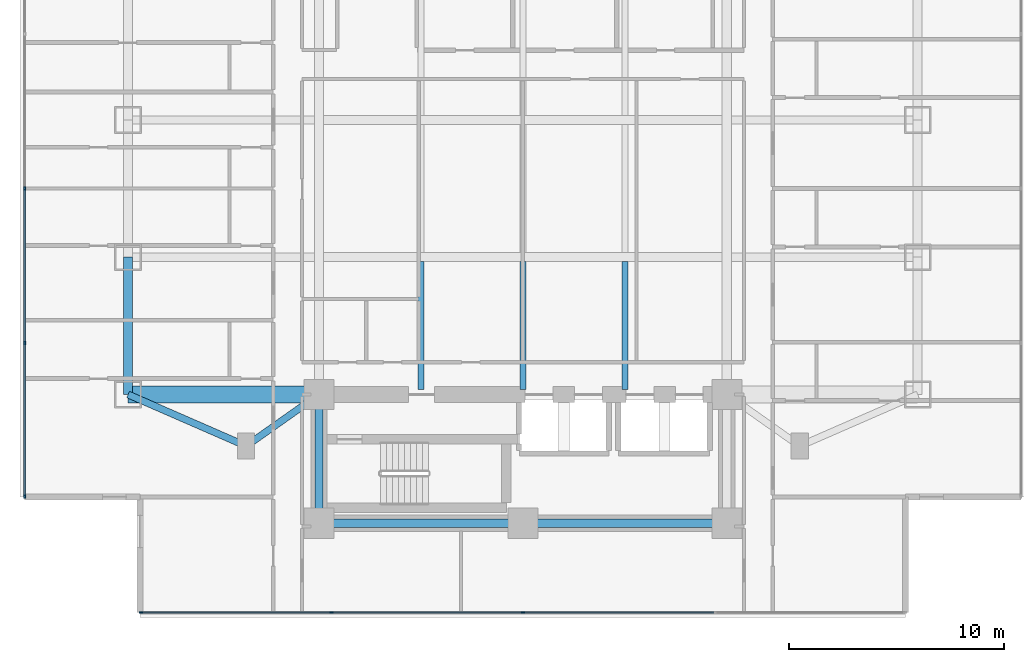
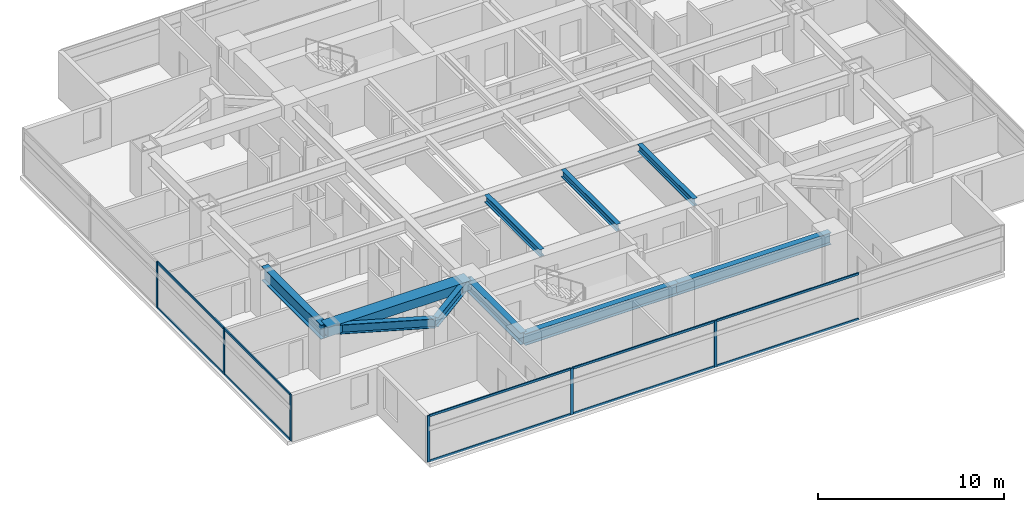
# One storey, part 2 of 26: 16 members, 10 beams, 2 elements without a shape of their own.
"""IFC4 building model written with IfcOpenShell, lengths in metres."""

from ifc_helpers import new_model, si_unit, direction, frame, origin, origin_2d, place, context, subcontext, project, spatial, rectangle, i_section, extrude, material, material_profile, profile_set, type_object, element, aggregate, save


model = new_model("IFC4")

# Units and contexts
model_context = context("Model", 3, precision=1e-05, world=origin(), true_north=direction((0.0, 1.0)))
body_context = subcontext(model_context, "Body", "Model", "MODEL_VIEW")
ifc_project = project(units=[si_unit("LENGTHUNIT", "METRE"), si_unit("AREAUNIT", "SQUARE_METRE"), si_unit("VOLUMEUNIT", "CUBIC_METRE"), si_unit("PLANEANGLEUNIT", "RADIAN"), si_unit("MASSUNIT", "GRAM", prefix="KILO")], contexts=[model_context])

# Site, building, storey
site_placement = place(None, origin())
site = spatial("IfcSite", under=ifc_project, at=site_placement, CompositionType="ELEMENT")
building_placement = place(site_placement, origin())
building = spatial("IfcBuilding", under=site, at=building_placement, Name="Mirazonda Arch Towers", CompositionType="ELEMENT")
storey_placement = place(building_placement, frame((0.0, 0.0, 48.800048828125)))
storey = spatial("IfcBuildingStorey", under=building, at=storey_placement, Name="L13", CompositionType="ELEMENT", Elevation=48.800048828125)

# Beams
ifc_material_1 = material(Name="Steel ASTM A992 Grade 50", Category="steel")
ifc_material_profile_1 = material_profile(ifc_material_1, i_section(OverallWidth=0.41796875, OverallDepth=0.927001953125, WebThickness=0.019287109375, FlangeThickness=0.031982421875, at=origin_2d()), Name="W36X231")
ifc_profile_set_1 = profile_set([ifc_material_profile_1], Name="Steel ASTM A992 Grade 50")
beam_type_1 = type_object("IfcBeamType", Name="BM-EXT-W36X231", PredefinedType="USERDEFINED", material=ifc_profile_set_1)
beam_1_placement = place(storey_placement, frame((2.10009765625, 18.39990234375, 2.596435546875), z_axis=(0.0, 1.0, 0.0), x_axis=(-1.0, 0.0, 0.0)))
element("IfcBeam", 1, at=beam_1_placement, inside=storey, type_object=beam_type_1, Name="L13 Floor Beam BM-T1-L13-NS-W-18", ObjectType="GIRDER", PredefinedType="USERDEFINED", context=body_context, shape_type="SweptSolid", body=[
    extrude(i_section(OverallWidth=0.41796875, OverallDepth=0.927001953125, WebThickness=0.019287109375, FlangeThickness=0.031982421875, at=origin_2d()), origin(), (0.0, 0.0, 1.0), 6.400146484375),
])
ifc_material_profile_2 = material_profile(ifc_material_1, i_section(OverallWidth=0.280029296875, OverallDepth=0.462890625, WebThickness=0.0107421875, FlangeThickness=0.017333984375, at=origin_2d()), Name="W18X76")
ifc_profile_set_2 = profile_set([ifc_material_profile_2], Name="Steel ASTM A992 Grade 50")
beam_type_2 = type_object("IfcBeamType", Name="BM-INT-W18X76", PredefinedType="JOIST", material=ifc_profile_set_2)
for number, where, z_axis, x_axis, name in (
    (2, (15.75, 18.639892578125, 2.828369140625), (0.0, 1.0, 0.0), (-1.0, 0.0, 0.0), "L13 Floor Beam BM-T1-L13-J-157-18"),
    (3, (20.5, 18.639892578125, 2.828369140625), (0.0, 1.0, 0.0), (-1.0, 0.0, 0.0), "L13 Floor Beam BM-T1-L13-J-205-18"),
    (4, (25.25, 18.639892578125, 2.828369140625), (0.0, 1.0, 0.0), (-1.0, 0.0, 0.0), "L13 Floor Beam BM-T1-L13-J-252-18"),
):
    element("IfcBeam", number, at=place(storey_placement, frame(where, z_axis=z_axis, x_axis=x_axis)), inside=storey, type_object=beam_type_2, Name=name, PredefinedType="JOIST", context=body_context, shape_type="SweptSolid", body=[
        extrude(i_section(OverallWidth=0.280029296875, OverallDepth=0.462890625, WebThickness=0.0107421875, FlangeThickness=0.017333984375, at=origin_2d()), origin(), (0.0, 0.0, 1.0), 5.95263671875),
    ])
ifc_material_profile_3 = material_profile(ifc_material_1, i_section(OverallWidth=0.324951171875, OverallDepth=0.615966796875, WebThickness=0.013916015625, FlangeThickness=0.021484375, at=origin_2d()), Name="W24X117")
ifc_profile_set_3 = profile_set([ifc_material_profile_3], Name="Steel ASTM A992 Grade 50")
beam_type_3 = type_object("IfcBeamType", Name="BM-INT-W24X117", PredefinedType="BEAM", material=ifc_profile_set_3)
beam_2_placement = place(storey_placement, frame((7.60009765625, 16.0, 2.751953125), z_axis=(0.816971114901, 0.576678591087, 0.0), x_axis=(-0.576678591087, 0.816971114901, 0.0)))
element("IfcBeam", 5, at=beam_2_placement, inside=storey, type_object=beam_type_3, Name="L13 Floor Beam BM-T1-L13-PL-SW1", PredefinedType="BEAM", context=body_context, shape_type="SweptSolid", body=[
    extrude(i_section(OverallWidth=0.324951171875, OverallDepth=0.615966796875, WebThickness=0.013916015625, FlangeThickness=0.021484375, at=origin_2d()), origin(), (0.0, 0.0, 1.0), 4.16162109375),
])
beam_3_placement = place(storey_placement, frame((7.60009765625, 16.0, 2.751953125), z_axis=(-0.916545343703, 0.399930785183, 0.0), x_axis=(-0.399930785183, -0.916545343703, 0.0)))
element("IfcBeam", 6, at=beam_3_placement, inside=storey, type_object=beam_type_3, Name="L13 Floor Beam BM-T1-L13-PL-SW2", PredefinedType="BEAM", context=body_context, shape_type="SweptSolid", body=[
    extrude(i_section(OverallWidth=0.324951171875, OverallDepth=0.615966796875, WebThickness=0.013916015625, FlangeThickness=0.021484375, at=origin_2d()), origin(), (0.0, 0.0, 1.0), 6.000732421875),
])
ifc_material_profile_4 = material_profile(ifc_material_1, i_section(OverallWidth=0.381103515625, OverallDepth=0.77294921875, WebThickness=0.0166015625, FlangeThickness=0.027099609375, at=origin_2d()), Name="W30X173")
ifc_profile_set_4 = profile_set([ifc_material_profile_4], Name="Steel ASTM A992 Grade 50")
beam_type_4 = type_object("IfcBeamType", Name="BM-INT-W30X173", PredefinedType="USERDEFINED", material=ifc_profile_set_4)
for number, where, z_axis, x_axis, name in (
    (7, (11.0, 12.39990234375, 2.67333984375), (1.0, 0.0, 0.0), (0.0, 1.0, 0.0), "L13 Floor Beam BM-T1-L13-CS1"),
    (8, (20.5, 12.39990234375, 2.67333984375), (1.0, 0.0, 0.0), (0.0, 1.0, 0.0), "L13 Floor Beam BM-T1-L13-CS2"),
):
    element("IfcBeam", number, at=place(storey_placement, frame(where, z_axis=z_axis, x_axis=x_axis)), inside=storey, type_object=beam_type_4, Name=name, ObjectType="GIRDER", PredefinedType="USERDEFINED", context=body_context, shape_type="SweptSolid", body=[
        extrude(i_section(OverallWidth=0.381103515625, OverallDepth=0.77294921875, WebThickness=0.0166015625, FlangeThickness=0.027099609375, at=origin_2d()), origin(), (0.0, 0.0, 1.0), 9.5),
    ])
beam_4_placement = place(storey_placement, frame((11.0, 12.39990234375, 2.67333984375), z_axis=(0.0, 1.0, 0.0), x_axis=(-1.0, 0.0, 0.0)))
element("IfcBeam", 9, at=beam_4_placement, inside=storey, type_object=beam_type_4, Name="L13 Floor Beam BM-T1-L13-CSW", ObjectType="GIRDER", PredefinedType="USERDEFINED", context=body_context, shape_type="SweptSolid", body=[
    extrude(i_section(OverallWidth=0.381103515625, OverallDepth=0.77294921875, WebThickness=0.0166015625, FlangeThickness=0.027099609375, at=origin_2d()), origin(), (0.0, 0.0, 1.0), 6.0),
])
ifc_material_2 = material(Name="Concrete C60/75", Category="concrete")
ifc_material_profile_5 = material_profile(ifc_material_2, rectangle(XDim=0.800048828125, YDim=0.60009765625, at=origin_2d()), Name="RCCB800x600")
ifc_profile_set_5 = profile_set([ifc_material_profile_5], Name="Concrete C60/75")
beam_type_5 = type_object("IfcBeamType", Name="CB-INT-RCCB800x600", PredefinedType="SPANDREL", material=ifc_profile_set_5)
beam_5_placement = place(storey_placement, frame((2.10009765625, 18.39990234375, 2.760009765625), z_axis=(1.0, 0.0, 0.0), x_axis=(0.0, 1.0, 0.0)))
element("IfcBeam", 10, at=beam_5_placement, inside=storey, type_object=beam_type_5, Name="L13 Floor Beam CBC-T1-L13-SW", PredefinedType="SPANDREL", context=body_context, shape_type="SweptSolid", body=[
    extrude(rectangle(XDim=0.800048828125, YDim=0.60009765625, at=origin_2d()), origin(), (0.0, 0.0, 1.0), 8.89990234375),
])

# Curtain wall, members
ifc_material_3 = material(Name="Anodised Aluminium and Low-E Glass", Category="aluminium")
curtain_wall_type = type_object("IfcCurtainWallType", Name="CW-HTL-UNIT", PredefinedType="NOTDEFINED", material=ifc_material_3)
curtain_wall_1_placement = place(storey_placement, origin())
curtain_wall_1 = element("IfcCurtainWall", 11, at=curtain_wall_1_placement, inside=storey, type_object=curtain_wall_type, Name="L13 T1 S Facade CW-L13-T1-S", PredefinedType="NOTDEFINED")
ifc_material_4 = material(Name="Anodised Aluminium Alloy", Category="aluminium")
ifc_material_profile_6 = material_profile(ifc_material_4, rectangle(XDim=0.074951171875, YDim=0.1650390625, at=origin_2d()), Name="ALU-MULL-75x165")
ifc_profile_set_6 = profile_set([ifc_material_profile_6], Name="Anodised Aluminium Alloy")
member_type_1 = type_object("IfcMemberType", Name="MULL-CW-HTL-UNIT", PredefinedType="MULLION", material=ifc_profile_set_6)
member_1_placement = place(storey_placement, frame((20.5, 8.236083984375, 0.0), z_axis=(0.0, 0.0, 1.0), x_axis=(0.0, -1.0, 0.0)))
member_1 = element("IfcMember", 12, at=member_1_placement, type_object=member_type_1, Name="CW-112 mullion 3", PredefinedType="MULLION", context=body_context, shape_type="SweptSolid", body=[
    extrude(rectangle(XDim=0.074951171875, YDim=0.1650390625, at=origin_2d()), origin(), (0.0, 0.0, 1.0), 3.0400390625),
])
member_2_placement = place(storey_placement, frame((11.580078125, 8.236083984375, 0.0), z_axis=(0.0, 0.0, 1.0), x_axis=(0.0, -1.0, 0.0)))
member_2 = element("IfcMember", 13, at=member_2_placement, type_object=member_type_1, Name="CW-112 mullion 4", PredefinedType="MULLION", context=body_context, shape_type="SweptSolid", body=[
    extrude(rectangle(XDim=0.074951171875, YDim=0.1650390625, at=origin_2d()), origin(), (0.0, 0.0, 1.0), 3.0400390625),
])
member_3_placement = place(storey_placement, frame((2.697509765625, 8.236083984375, 0.0), z_axis=(0.0, 0.0, 1.0), x_axis=(0.0, -1.0, 0.0)))
member_3 = element("IfcMember", 14, at=member_3_placement, type_object=member_type_1, Name="CW-112 mullion 5", PredefinedType="MULLION", context=body_context, shape_type="SweptSolid", body=[
    extrude(rectangle(XDim=0.074951171875, YDim=0.1650390625, at=origin_2d()), origin(), (0.0, 0.0, 1.0), 3.0400390625),
])

curtain_wall_2_placement = place(storey_placement, origin())
curtain_wall_2 = element("IfcCurtainWall", 15, at=curtain_wall_2_placement, inside=storey, type_object=curtain_wall_type, Name="L13 T1 W Facade CW-L13-T1-W", PredefinedType="NOTDEFINED")
member_4_placement = place(storey_placement, frame((-2.719970703125, 28.0, 0.0), z_axis=(0.0, 0.0, 1.0), x_axis=(1.0, 0.0, 0.0)))
member_4 = element("IfcMember", 16, at=member_4_placement, type_object=member_type_1, Name="CW-112 mullion 3", PredefinedType="MULLION", context=body_context, shape_type="SweptSolid", body=[
    extrude(rectangle(XDim=0.074951171875, YDim=0.1650390625, at=origin_2d()), origin(), (0.0, 0.0, 1.0), 3.0400390625),
])
member_5_placement = place(storey_placement, frame((-2.719970703125, 20.80810546875, 0.0), z_axis=(0.0, 0.0, 1.0), x_axis=(1.0, 0.0, 0.0)))
member_5 = element("IfcMember", 17, at=member_5_placement, type_object=member_type_1, Name="CW-112 mullion 4", PredefinedType="MULLION", context=body_context, shape_type="SweptSolid", body=[
    extrude(rectangle(XDim=0.074951171875, YDim=0.1650390625, at=origin_2d()), origin(), (0.0, 0.0, 1.0), 3.0400390625),
])
member_6_placement = place(storey_placement, frame((-2.719970703125, 13.653564453125, 0.0), z_axis=(0.0, 0.0, 1.0), x_axis=(1.0, 0.0, 0.0)))
member_6 = element("IfcMember", 18, at=member_6_placement, type_object=member_type_1, Name="CW-112 mullion 5", PredefinedType="MULLION", context=body_context, shape_type="SweptSolid", body=[
    extrude(rectangle(XDim=0.074951171875, YDim=0.1650390625, at=origin_2d()), origin(), (0.0, 0.0, 1.0), 3.0400390625),
])

# Member
ifc_material_profile_7 = material_profile(ifc_material_4, rectangle(XDim=0.074951171875, YDim=0.14501953125, at=origin_2d()), Name="ALU-TRAN-75x145")
ifc_profile_set_7 = profile_set([ifc_material_profile_7], Name="Anodised Aluminium Alloy")
member_type_2 = type_object("IfcMemberType", Name="TRAN-CW-HTL-UNIT", PredefinedType="USERDEFINED", material=ifc_profile_set_7)
member_7_placement = place(storey_placement, frame((29.382568359375, 8.236083984375, 0.037353515625), z_axis=(-1.0, 0.0, 0.0), x_axis=(0.0, -1.0, 0.0)))
member_7 = element("IfcMember", 19, at=member_7_placement, type_object=member_type_2, Name="CW-112 transom 2.1", ObjectType="TRANSOM", PredefinedType="USERDEFINED", context=body_context, shape_type="SweptSolid", body=[
    extrude(rectangle(XDim=0.074951171875, YDim=0.14501953125, at=origin_2d()), origin(), (0.0, 0.0, 1.0), 8.844970703125),
])

member_8_placement = place(storey_placement, frame((29.382568359375, 8.236083984375, 3.00244140625), z_axis=(-1.0, 0.0, 0.0), x_axis=(0.0, -1.0, 0.0)))
member_8 = element("IfcMember", 20, at=member_8_placement, type_object=member_type_2, Name="CW-112 transom 2.2", ObjectType="TRANSOM", PredefinedType="USERDEFINED", context=body_context, shape_type="SweptSolid", body=[
    extrude(rectangle(XDim=0.074951171875, YDim=0.14501953125, at=origin_2d()), origin(), (0.0, 0.0, 1.0), 8.844970703125),
])

member_9_placement = place(storey_placement, frame((20.46240234375, 8.236083984375, 0.037353515625), z_axis=(-1.0, 0.0, 0.0), x_axis=(0.0, -1.0, 0.0)))
member_9 = element("IfcMember", 21, at=member_9_placement, type_object=member_type_2, Name="CW-112 transom 3.1", ObjectType="TRANSOM", PredefinedType="USERDEFINED", context=body_context, shape_type="SweptSolid", body=[
    extrude(rectangle(XDim=0.074951171875, YDim=0.14501953125, at=origin_2d()), origin(), (0.0, 0.0, 1.0), 8.844970703125),
])

member_10_placement = place(storey_placement, frame((20.46240234375, 8.236083984375, 3.00244140625), z_axis=(-1.0, 0.0, 0.0), x_axis=(0.0, -1.0, 0.0)))
member_10 = element("IfcMember", 22, at=member_10_placement, type_object=member_type_2, Name="CW-112 transom 3.2", ObjectType="TRANSOM", PredefinedType="USERDEFINED", context=body_context, shape_type="SweptSolid", body=[
    extrude(rectangle(XDim=0.074951171875, YDim=0.14501953125, at=origin_2d()), origin(), (0.0, 0.0, 1.0), 8.844970703125),
])

member_11_placement = place(storey_placement, frame((11.54248046875, 8.236083984375, 0.037353515625), z_axis=(-1.0, 0.0, 0.0), x_axis=(0.0, -1.0, 0.0)))
member_11 = element("IfcMember", 23, at=member_11_placement, type_object=member_type_2, Name="CW-112 transom 4.1", ObjectType="TRANSOM", PredefinedType="USERDEFINED", context=body_context, shape_type="SweptSolid", body=[
    extrude(rectangle(XDim=0.074951171875, YDim=0.14501953125, at=origin_2d()), origin(), (0.0, 0.0, 1.0), 8.807373046875),
])

member_12_placement = place(storey_placement, frame((11.54248046875, 8.236083984375, 3.00244140625), z_axis=(-1.0, 0.0, 0.0), x_axis=(0.0, -1.0, 0.0)))
member_12 = element("IfcMember", 24, at=member_12_placement, type_object=member_type_2, Name="CW-112 transom 4.2", ObjectType="TRANSOM", PredefinedType="USERDEFINED", context=body_context, shape_type="SweptSolid", body=[
    extrude(rectangle(XDim=0.074951171875, YDim=0.14501953125, at=origin_2d()), origin(), (0.0, 0.0, 1.0), 8.807373046875),
])

aggregate(curtain_wall_1, [member_1, member_2, member_3, member_7, member_8, member_9, member_10, member_11, member_12])

member_13_placement = place(storey_placement, frame((-2.719970703125, 27.96240234375, 0.037353515625), z_axis=(0.0, -1.0, 0.0), x_axis=(1.0, 0.0, 0.0)))
member_13 = element("IfcMember", 25, at=member_13_placement, type_object=member_type_2, Name="CW-112 transom 3.1", ObjectType="TRANSOM", PredefinedType="USERDEFINED", context=body_context, shape_type="SweptSolid", body=[
    extrude(rectangle(XDim=0.074951171875, YDim=0.14501953125, at=origin_2d()), origin(), (0.0, 0.0, 1.0), 7.116943359375),
])

member_14_placement = place(storey_placement, frame((-2.719970703125, 27.96240234375, 3.00244140625), z_axis=(0.0, -1.0, 0.0), x_axis=(1.0, 0.0, 0.0)))
member_14 = element("IfcMember", 26, at=member_14_placement, type_object=member_type_2, Name="CW-112 transom 3.2", ObjectType="TRANSOM", PredefinedType="USERDEFINED", context=body_context, shape_type="SweptSolid", body=[
    extrude(rectangle(XDim=0.074951171875, YDim=0.14501953125, at=origin_2d()), origin(), (0.0, 0.0, 1.0), 7.116943359375),
])

member_15_placement = place(storey_placement, frame((-2.719970703125, 20.7705078125, 0.037353515625), z_axis=(0.0, -1.0, 0.0), x_axis=(1.0, 0.0, 0.0)))
member_15 = element("IfcMember", 27, at=member_15_placement, type_object=member_type_2, Name="CW-112 transom 4.1", ObjectType="TRANSOM", PredefinedType="USERDEFINED", context=body_context, shape_type="SweptSolid", body=[
    extrude(rectangle(XDim=0.074951171875, YDim=0.14501953125, at=origin_2d()), origin(), (0.0, 0.0, 1.0), 7.07958984375),
])

member_16_placement = place(storey_placement, frame((-2.719970703125, 20.7705078125, 3.00244140625), z_axis=(0.0, -1.0, 0.0), x_axis=(1.0, 0.0, 0.0)))
member_16 = element("IfcMember", 28, at=member_16_placement, type_object=member_type_2, Name="CW-112 transom 4.2", ObjectType="TRANSOM", PredefinedType="USERDEFINED", context=body_context, shape_type="SweptSolid", body=[
    extrude(rectangle(XDim=0.074951171875, YDim=0.14501953125, at=origin_2d()), origin(), (0.0, 0.0, 1.0), 7.07958984375),
])

aggregate(curtain_wall_2, [member_4, member_5, member_6, member_13, member_14, member_15, member_16])

save(model, "model.ifc")
